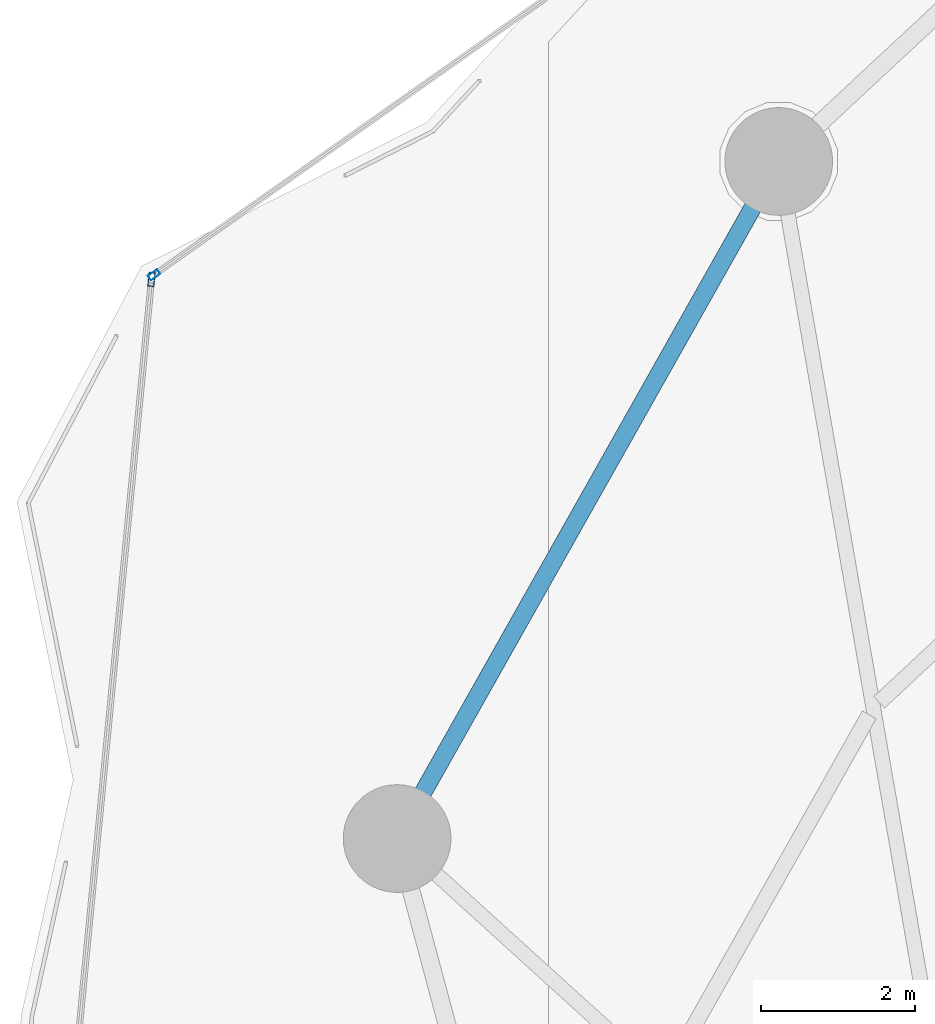
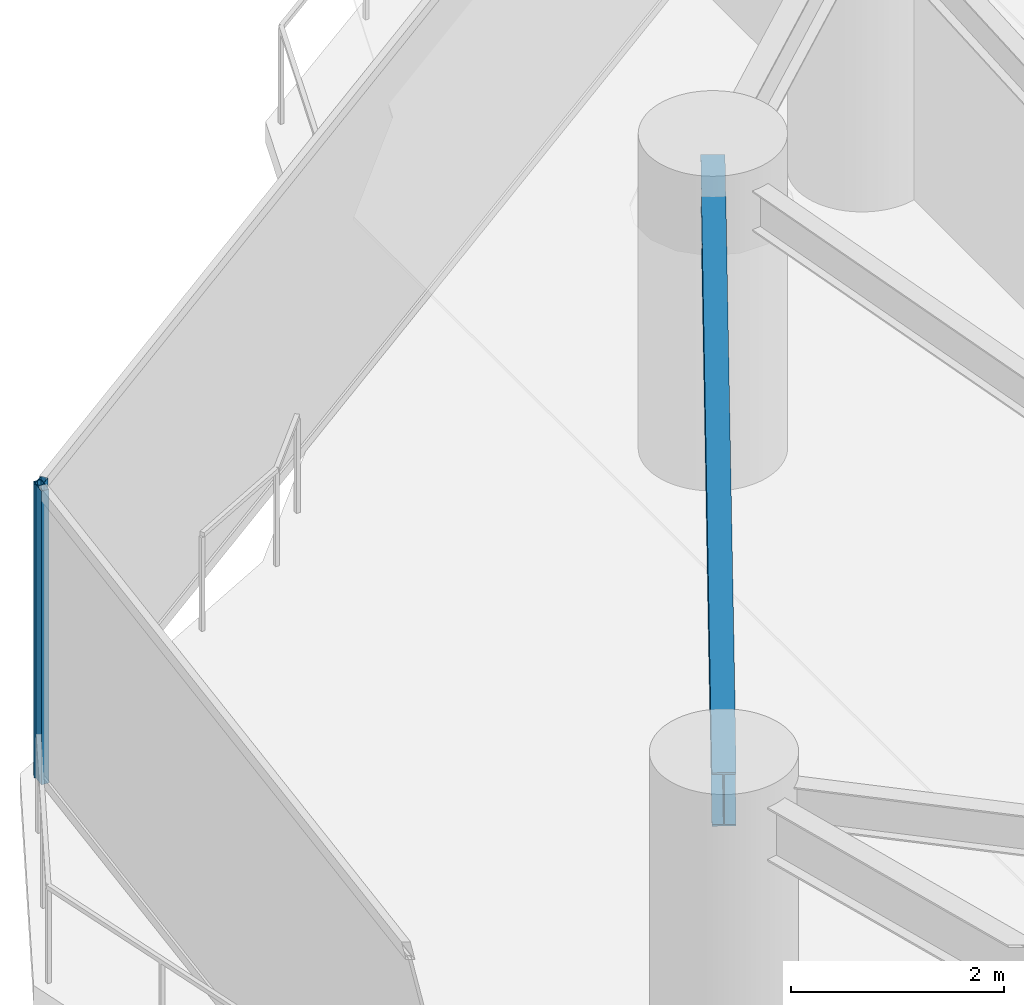
# One storey, part 15 of 31: 2 members, 1 beam, 2 elements without a shape of their own.
"""IFC4 building model written with IfcOpenShell, lengths in metres."""

from ifc_helpers import new_model, si_unit, direction, frame, origin, origin_2d, place, context, subcontext, project, spatial, hollow_rectangle, i_section, extrude, material, layer, layer_set, material_profile, profile_set, type_object, element, aggregate, save


model = new_model("IFC4")

# Units and contexts
model_context = context("Model", 3, precision=1e-05, world=origin(), true_north=direction((0.0, 1.0)))
body_context = subcontext(model_context, "Body", "Model", "MODEL_VIEW")
ifc_project = project(units=[si_unit("LENGTHUNIT", "METRE"), si_unit("AREAUNIT", "SQUARE_METRE"), si_unit("VOLUMEUNIT", "CUBIC_METRE"), si_unit("PLANEANGLEUNIT", "RADIAN"), si_unit("MASSUNIT", "GRAM", prefix="KILO")], contexts=[model_context])

# Site, building, storey
site_placement = place(None, origin())
site = spatial("IfcSite", under=ifc_project, at=site_placement, CompositionType="ELEMENT")
building_placement = place(site_placement, origin())
building = spatial("IfcBuilding", under=site, at=building_placement, Name="Kazevale Care Tower and Concert Hall", CompositionType="ELEMENT")
storey_placement = place(building_placement, frame((0.0, 0.0, 60.0)))
storey = spatial("IfcBuildingStorey", under=building, at=storey_placement, Name="L15", CompositionType="ELEMENT", Elevation=60.0)

# Curtain wall, member
ifc_material_1 = material(Name="Aluminium 6063-T6 and Low-E Glass", Category="aluminium")
ifc_layer_1 = layer(ifc_material_1, 0.179931640625)
ifc_layer_set_1 = layer_set([ifc_layer_1], Name="Aluminium 6063-T6 and Low-E Glass")
curtain_wall_type_1 = type_object("IfcCurtainWallType", Name="Convex Recessed Sunroom Curtain Wall CW-3", PredefinedType="NOTDEFINED", material=ifc_layer_set_1)
curtain_wall_1_placement = place(storey_placement, origin())
curtain_wall_1 = element("IfcCurtainWall", 1, at=curtain_wall_1_placement, inside=storey, type_object=curtain_wall_type_1, Name="cw:L15:f14", PredefinedType="NOTDEFINED")
ifc_material_2 = material(Name="Aluminium 6063-T6", Category="aluminium")
ifc_material_profile_1 = material_profile(ifc_material_2, hollow_rectangle(XDim=0.074951171875, YDim=0.14990234375, WallThickness=0.00390625, at=origin_2d()), Name="ALU75x150x4")
ifc_profile_set_1 = profile_set([ifc_material_profile_1], Name="Aluminium 6063-T6")
member_type_1 = type_object("IfcMemberType", Name="CW-3 Mullion ALU75x150x4", PredefinedType="MULLION", material=ifc_profile_set_1)
member_1_placement = place(storey_placement, frame((11.151611328125, 50.70751953125, 0.0), z_axis=(0.0, 0.0, 1.0), x_axis=(-0.57692895392, 0.816794332821, 0.0)))
member_1 = element("IfcMember", 2, at=member_1_placement, type_object=member_type_1, Name="CW-3 mullion 1", PredefinedType="MULLION", context=body_context, shape_type="SweptSolid", body=[
    extrude(hollow_rectangle(XDim=0.074951171875, YDim=0.14990234375, WallThickness=0.00390625, at=origin_2d()), origin(), (0.0, 0.0, 1.0), 3.360107421875),
])
aggregate(curtain_wall_1, [member_1])

ifc_layer_2 = layer(ifc_material_1, 0.179931640625)
ifc_layer_set_2 = layer_set([ifc_layer_2], Name="Aluminium 6063-T6 and Low-E Glass")
curtain_wall_type_2 = type_object("IfcCurtainWallType", Name="Waist & Upper Residential Curtain Wall CW-4", PredefinedType="NOTDEFINED", material=ifc_layer_set_2)
curtain_wall_2_placement = place(storey_placement, origin())
curtain_wall_2 = element("IfcCurtainWall", 3, at=curtain_wall_2_placement, inside=storey, type_object=curtain_wall_type_2, Name="cw:L15:f13", PredefinedType="NOTDEFINED")
ifc_material_profile_2 = material_profile(ifc_material_2, hollow_rectangle(XDim=0.080078125, YDim=0.179931640625, WallThickness=0.0048828125, at=origin_2d()), Name="ALU80x180x5")
ifc_profile_set_2 = profile_set([ifc_material_profile_2], Name="Aluminium 6063-T6")
member_type_2 = type_object("IfcMemberType", Name="CW-4 Mullion ALU80x180x5", PredefinedType="MULLION", material=ifc_profile_set_2)
member_2_placement = place(storey_placement, frame((11.1171875, 50.646240234375, 0.0), z_axis=(0.0, 0.0, 1.0), x_axis=(-0.995380693067, 0.096006644923, 0.0)))
member_2 = element("IfcMember", 4, at=member_2_placement, type_object=member_type_2, Name="CW-4 mullion 2", PredefinedType="MULLION", context=body_context, shape_type="SweptSolid", body=[
    extrude(hollow_rectangle(XDim=0.080078125, YDim=0.179931640625, WallThickness=0.0048828125, at=origin_2d()), origin(), (0.0, 0.0, 1.0), 3.360107421875),
])
aggregate(curtain_wall_2, [member_2])

# Beam
ifc_material_3 = material(Name="Steel ASTM A572 Gr 50", Category="steel")
ifc_material_profile_3 = material_profile(ifc_material_3, i_section(OverallWidth=0.22900390625, OverallDepth=0.612060546875, WebThickness=0.011962890625, FlangeThickness=0.01953125, at=origin_2d()), Name="W610x125")
ifc_profile_set_3 = profile_set([ifc_material_profile_3], Name="Steel ASTM A572 Gr 50")
beam_type = type_object("IfcBeamType", Name="Ring Spandrel Beam W610x125", PredefinedType="SPANDREL", material=ifc_profile_set_3)
beam_placement = place(storey_placement, frame((19.27001953125, 52.179931640625, 3.053955078125), z_axis=(-0.491008061092, -0.87115502865, 0.0), x_axis=(0.87115502865, -0.491008061092, 0.0)))
element("IfcBeam", 5, at=beam_placement, inside=storey, type_object=beam_type, Name="beam:L15:ring:08", PredefinedType="SPANDREL", context=body_context, shape_type="SweptSolid", body=[
    extrude(i_section(OverallWidth=0.22900390625, OverallDepth=0.612060546875, WebThickness=0.011962890625, FlangeThickness=0.01953125, at=origin_2d()), origin(), (0.0, 0.0, 1.0), 10.1015625),
])

save(model, "model.ifc")
